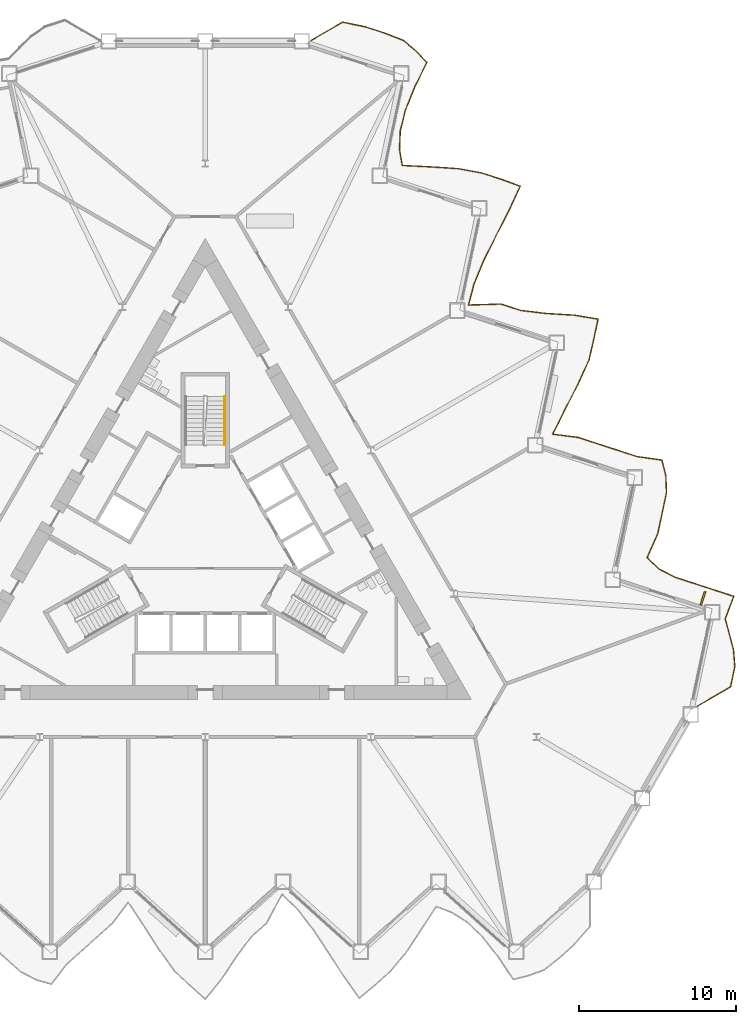
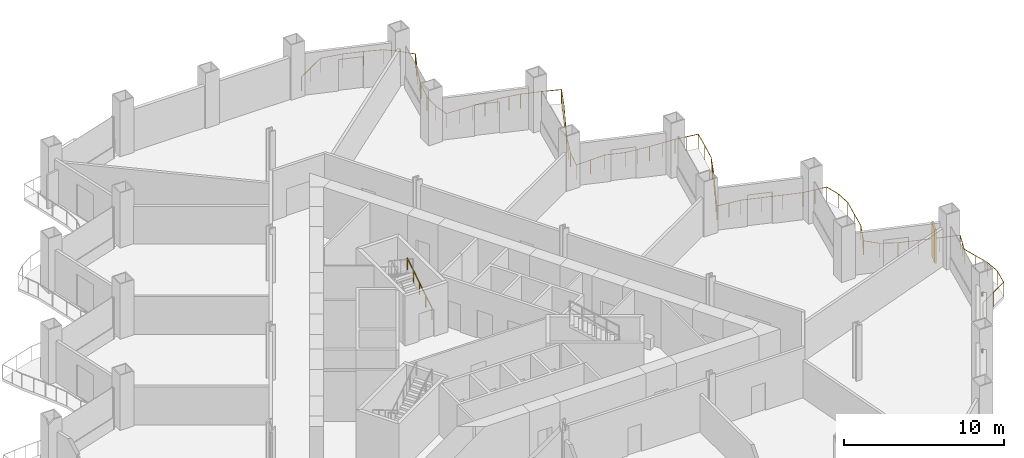
# One storey, part 19 of 21: 2 railings, 1 shading device.
"""IFC4 building model written with IfcOpenShell, lengths in metres."""

from ifc_helpers import new_model, si_unit, direction, frame, origin, origin_2d, place, context, subcontext, project, spatial, rectangle, circle, extrude, material, layer, layer_set, type_object, element, save


model = new_model("IFC4")

# Units and contexts
model_context = context("Model", 3, precision=1e-05, world=origin(), true_north=direction((0.0, 1.0)))
body_context = subcontext(model_context, "Body", "Model", "MODEL_VIEW")
ifc_project = project(units=[si_unit("LENGTHUNIT", "METRE"), si_unit("AREAUNIT", "SQUARE_METRE"), si_unit("VOLUMEUNIT", "CUBIC_METRE"), si_unit("PLANEANGLEUNIT", "RADIAN"), si_unit("MASSUNIT", "GRAM", prefix="KILO")], contexts=[model_context])

# Site, building, storey
site_placement = place(None, origin())
site = spatial("IfcSite", under=ifc_project, at=site_placement, CompositionType="ELEMENT")
building_placement = place(site_placement, origin())
building = spatial("IfcBuilding", under=site, at=building_placement, Name="Cormorant Prow Tower", CompositionType="ELEMENT")
storey_placement = place(building_placement, frame((0.0, 0.0, 72.0)))
storey = spatial("IfcBuildingStorey", under=building, at=storey_placement, Name="L15", CompositionType="ELEMENT", Elevation=72.0)

# Railings
ifc_material_1 = material(Name="Aluminium 6063-T6", Category="aluminium")
railing_type_1 = type_object("IfcRailingType", Name="Balcony guard 1100", PredefinedType="GUARDRAIL", material=ifc_material_1)
railing_1_placement = place(storey_placement, frame((31.3291015625, -10.300537109375, 0.0)))
element("IfcRailing", 1, at=railing_1_placement, inside=storey, type_object=railing_type_1, Name="Balcony guard ENE", PredefinedType="GUARDRAIL", context=body_context, shape_type="SweptSolid", body=[
    extrude(circle(Radius=0.02392578125, at=origin_2d()), frame((0.0, 0.0, 1.076171875), z_axis=(0.866030548046, 0.499991089772, 0.0), x_axis=(-0.499991089772, 0.866030548046, 0.0)), (0.0, 0.0, 1.0), 2.56982421875),
    extrude(circle(Radius=0.02392578125, at=origin_2d()), frame((2.2255859375, 1.284912109375, 1.076171875), z_axis=(0.207916123024, 0.978146658629, 0.0), x_axis=(-0.978146658629, 0.207916123024, 0.0)), (0.0, 0.0, 1.0), 1.3232421875),
    extrude(circle(Radius=0.02392578125, at=origin_2d()), frame((2.500732421875, 2.579345703125, 1.076171875), z_axis=(-0.07842705087, 0.9969198552, 0.0), x_axis=(-0.9969198552, -0.07842705087, 0.0)), (0.0, 0.0, 1.0), 1.089599609375),
    extrude(circle(Radius=0.02392578125, at=origin_2d()), frame((2.415283203125, 3.66552734375, 1.076171875), z_axis=(-0.25593207983, 0.966694765949, 0.0), x_axis=(-0.966694765949, -0.25593207983, 0.0)), (0.0, 0.0, 1.0), 1.018798828125),
    extrude(circle(Radius=0.02392578125, at=origin_2d()), frame((2.154541015625, 4.650390625, 1.076171875), z_axis=(-0.259483218606, 0.965747616752, 0.0), x_axis=(-0.965747616752, -0.259483218606, 0.0)), (0.0, 0.0, 1.0), 1.01806640625),
    extrude(circle(Radius=0.02392578125, at=origin_2d()), frame((1.890380859375, 5.633544921875, 1.076171875), z_axis=(0.35036198406, 0.936614371087, 0.0), x_axis=(-0.936614371087, 0.35036198406, 0.0)), (0.0, 0.0, 1.0), 1.546142578125),
    extrude(circle(Radius=0.02392578125, at=origin_2d()), frame((2.43212890625, 7.081787109375, 1.076171875), z_axis=(-0.951054403512, 0.309023496777, 0.0), x_axis=(-0.309023496777, -0.951054403512, 0.0)), (0.0, 0.0, 1.0), 1.3232421875),
    extrude(circle(Radius=0.02392578125, at=origin_2d()), frame((1.173583984375, 7.49072265625, 1.076171875), z_axis=(-0.951054403512, 0.309023496777, 0.0), x_axis=(-0.309023496777, -0.951054403512, 0.0)), (0.0, 0.0, 1.0), 1.3232421875),
    extrude(circle(Radius=0.02392578125, at=origin_2d()), frame((-0.0849609375, 7.899658203125, 1.076171875), z_axis=(-0.951054403512, 0.309023496777, 0.0), x_axis=(-0.309023496777, -0.951054403512, 0.0)), (0.0, 0.0, 1.0), 1.3232421875),
    extrude(circle(Radius=0.02392578125, at=origin_2d()), frame((-1.343505859375, 8.30859375, 1.076171875), z_axis=(-0.888067570073, 0.459712944113, 0.0), x_axis=(-0.459712944113, -0.888067570073, 0.0)), (0.0, 0.0, 1.0), 1.167724609375),
    extrude(circle(Radius=0.02392578125, at=origin_2d()), frame((-2.380615234375, 8.845458984375, 1.076171875), z_axis=(-0.704219685017, 0.709982137264, 0.0), x_axis=(-0.709982137264, -0.704219685017, 0.0)), (0.0, 0.0, 1.0), 1.016845703125),
    extrude(circle(Radius=0.02392578125, at=origin_2d()), frame((-3.0966796875, 9.5673828125, 1.076171875), z_axis=(0.406666401642, 0.913576727908, 0.0), x_axis=(-0.913576727908, 0.406666401642, 0.0)), (0.0, 0.0, 1.0), 1.673095703125),
    extrude(circle(Radius=0.02392578125, at=origin_2d()), frame((-2.416259765625, 11.095947265625, 1.076171875), z_axis=(0.207953649087, 0.978138681288, 0.0), x_axis=(-0.978138681288, 0.207953649087, 0.0)), (0.0, 0.0, 1.0), 1.322998046875),
    extrude(circle(Radius=0.02392578125, at=origin_2d()), frame((-2.14111328125, 12.39013671875, 1.076171875), z_axis=(0.207916123024, 0.978146658629, 0.0), x_axis=(-0.978146658629, 0.207916123024, 0.0)), (0.0, 0.0, 1.0), 1.3232421875),
    extrude(circle(Radius=0.02392578125, at=origin_2d()), frame((-1.865966796875, 13.6845703125, 1.076171875), z_axis=(-0.037758643401, 0.99928688816, 0.0), x_axis=(-0.99928688816, -0.037758643401, 0.0)), (0.0, 0.0, 1.0), 1.112060546875),
    extrude(circle(Radius=0.02392578125, at=origin_2d()), frame((-1.907958984375, 14.7958984375, 1.076171875), z_axis=(-0.247874989149, 0.968792026058, 0.0), x_axis=(-0.968792026058, -0.247874989149, 0.0)), (0.0, 0.0, 1.0), 1.021484375),
    extrude(circle(Radius=0.02392578125, at=origin_2d()), frame((-2.1611328125, 15.785400390625, 1.076171875), z_axis=(-0.990306886984, 0.138896614761, 0.0), x_axis=(-0.138896614761, -0.990306886984, 0.0)), (0.0, 0.0, 1.0), 1.59765625),
    extrude(circle(Radius=0.02392578125, at=origin_2d()), frame((-3.743408203125, 16.00732421875, 1.076171875), z_axis=(-0.951054403512, 0.309023496777, 0.0), x_axis=(-0.309023496777, -0.951054403512, 0.0)), (0.0, 0.0, 1.0), 1.3232421875),
    extrude(circle(Radius=0.02392578125, at=origin_2d()), frame((-5.001953125, 16.416259765625, 1.076171875), z_axis=(-0.951054403512, 0.309023496777, 0.0), x_axis=(-0.309023496777, -0.951054403512, 0.0)), (0.0, 0.0, 1.0), 1.3232421875),
    extrude(circle(Radius=0.02392578125, at=origin_2d()), frame((-6.260498046875, 16.8251953125, 1.076171875), z_axis=(-0.951054403512, 0.309023496777, 0.0), x_axis=(-0.309023496777, -0.951054403512, 0.0)), (0.0, 0.0, 1.0), 1.3232421875),
    extrude(circle(Radius=0.02392578125, at=origin_2d()), frame((-7.51904296875, 17.234130859375, 1.076171875), z_axis=(-0.992042667433, 0.125902128625, 0.0), x_axis=(-0.125902128625, -0.992042667433, 0.0)), (0.0, 0.0, 1.0), 1.625),
    extrude(circle(Radius=0.02392578125, at=origin_2d()), frame((-9.131103515625, 17.438720703125, 1.076171875), z_axis=(0.447487016102, 0.894290428452, 0.0), x_axis=(-0.894290428452, 0.447487016102, 0.0)), (0.0, 0.0, 1.0), 1.78564453125),
    extrude(circle(Radius=0.02392578125, at=origin_2d()), frame((-8.33203125, 19.03564453125, 1.076171875), z_axis=(0.454811330085, 0.890587813765, 0.0), x_axis=(-0.890587813765, 0.454811330085, 0.0)), (0.0, 0.0, 1.0), 1.808349609375),
    extrude(circle(Radius=0.02392578125, at=origin_2d()), frame((-7.509521484375, 20.646240234375, 1.076171875), z_axis=(0.414563285279, 0.910020484659, 0.0), x_axis=(-0.910020484659, 0.414563285279, 0.0)), (0.0, 0.0, 1.0), 1.693115234375),
    extrude(circle(Radius=0.02392578125, at=origin_2d()), frame((-6.8076171875, 22.18701171875, 1.076171875), z_axis=(0.223318562113, 0.974745515412, 0.0), x_axis=(-0.974745515412, 0.223318562113, 0.0)), (0.0, 0.0, 1.0), 1.342529296875),
    extrude(circle(Radius=0.02392578125, at=origin_2d()), frame((-6.5078125, 23.49560546875, 1.076171875), z_axis=(0.207916123024, 0.978146658629, 0.0), x_axis=(-0.978146658629, 0.207916123024, 0.0)), (0.0, 0.0, 1.0), 1.3232421875),
    extrude(circle(Radius=0.02392578125, at=origin_2d()), frame((-6.232666015625, 24.7900390625, 1.076171875), z_axis=(-0.986973640744, 0.160882045228, 0.0), x_axis=(-0.160882045228, -0.986973640744, 0.0)), (0.0, 0.0, 1.0), 1.553955078125),
    extrude(circle(Radius=0.02392578125, at=origin_2d()), frame((-7.766357421875, 25.0400390625, 1.076171875), z_axis=(-0.99812129543, 0.061268912257, 0.0), x_axis=(-0.061268912257, -0.99812129543, 0.0)), (0.0, 0.0, 1.0), 1.78125),
    extrude(circle(Radius=0.02392578125, at=origin_2d()), frame((-9.544189453125, 25.149169921875, 1.076171875), z_axis=(-0.993117124852, 0.117125472572, 0.0), x_axis=(-0.117125472572, -0.993117124852, 0.0)), (0.0, 0.0, 1.0), 1.64453125),
    extrude(circle(Radius=0.02392578125, at=origin_2d()), frame((-11.177490234375, 25.341796875, 1.076171875), z_axis=(-0.951054403512, 0.309023496777, 0.0), x_axis=(-0.309023496777, -0.951054403512, 0.0)), (0.0, 0.0, 1.0), 1.3232421875),
    extrude(circle(Radius=0.02392578125, at=origin_2d()), frame((-12.43603515625, 25.750732421875, 1.076171875), z_axis=(-0.999556700058, -0.029772527091, 0.0), x_axis=(0.029772527091, -0.999556700058, 0.0)), (0.0, 0.0, 1.0), 2.07470703125),
    extrude(circle(Radius=0.02392578125, at=origin_2d()), frame((-14.509765625, 25.68896484375, 1.076171875), z_axis=(0.255325857742, 0.966855059649, 0.0), x_axis=(-0.966855059649, 0.255325857742, 0.0)), (0.0, 0.0, 1.0), 1.385498046875),
    extrude(circle(Radius=0.02392578125, at=origin_2d()), frame((-14.156005859375, 27.028564453125, 1.076171875), z_axis=(0.382057872084, 0.924138400013, 0.0), x_axis=(-0.924138400013, 0.382057872084, 0.0)), (0.0, 0.0, 1.0), 1.6142578125),
    extrude(circle(Radius=0.02392578125, at=origin_2d()), frame((-13.539306640625, 28.520263671875, 1.076171875), z_axis=(0.444408082663, 0.895824456054, 0.0), x_axis=(-0.895824456054, 0.444408082663, 0.0)), (0.0, 0.0, 1.0), 1.776611328125),
    extrude(circle(Radius=0.02392578125, at=origin_2d()), frame((-12.749755859375, 30.11181640625, 1.076171875), z_axis=(0.45613613343, 0.889910011057, 0.0), x_axis=(-0.889910011057, 0.45613613343, 0.0)), (0.0, 0.0, 1.0), 1.812255859375),
    extrude(circle(Radius=0.02392578125, at=origin_2d()), frame((-11.923095703125, 31.724609375, 1.076171875), z_axis=(0.420435188405, 0.907322573482, 0.0), x_axis=(-0.907322573482, 0.420435188405, 0.0)), (0.0, 0.0, 1.0), 1.70849609375),
    extrude(circle(Radius=0.02392578125, at=origin_2d()), frame((-11.204833984375, 33.274658203125, 1.076171875), z_axis=(-0.939017858551, 0.343868377903, 0.0), x_axis=(-0.343868377903, -0.939017858551, 0.0)), (0.0, 0.0, 1.0), 1.281494140625),
    extrude(circle(Radius=0.02392578125, at=origin_2d()), frame((-12.408203125, 33.71533203125, 1.076171875), z_axis=(-0.951054403512, 0.309023496777, 0.0), x_axis=(-0.309023496777, -0.951054403512, 0.0)), (0.0, 0.0, 1.0), 1.3232421875),
    extrude(circle(Radius=0.02392578125, at=origin_2d()), frame((-13.666748046875, 34.124267578125, 1.076171875), z_axis=(-0.983608934838, 0.180314900401, 0.0), x_axis=(-0.180314900401, -0.983608934838, 0.0)), (0.0, 0.0, 1.0), 1.517822265625),
    extrude(circle(Radius=0.02392578125, at=origin_2d()), frame((-15.15966796875, 34.39794921875, 1.076171875), z_axis=(-0.997891181229, 0.064909093545, 0.0), x_axis=(-0.064909093545, -0.997891181229, 0.0)), (0.0, 0.0, 1.0), 1.771484375),
    extrude(circle(Radius=0.02392578125, at=origin_2d()), frame((-16.927490234375, 34.512939453125, 1.076171875), z_axis=(-0.99877937703, 0.049393886453, 0.0), x_axis=(-0.049393886453, -0.99877937703, 0.0)), (0.0, 0.0, 1.0), 1.81396484375),
    extrude(circle(Radius=0.02392578125, at=origin_2d()), frame((-18.7392578125, 34.6025390625, 1.076171875), z_axis=(-0.167380545357, 0.985892363819, 0.0), x_axis=(-0.985892363819, -0.167380545357, 0.0)), (0.0, 0.0, 1.0), 1.048828125),
    extrude(circle(Radius=0.02392578125, at=origin_2d()), frame((-18.914794921875, 35.636474609375, 1.076171875), z_axis=(0.039054024104, 0.999237100593, 0.0), x_axis=(-0.999237100593, 0.039054024104, 0.0)), (0.0, 0.0, 1.0), 1.162841796875),
    extrude(circle(Radius=0.02392578125, at=origin_2d()), frame((-18.869384765625, 36.79833984375, 1.076171875), z_axis=(0.240093301507, 0.970749816673, 0.0), x_axis=(-0.970749816673, 0.240093301507, 0.0)), (0.0, 0.0, 1.0), 1.364501953125),
    extrude(circle(Radius=0.02392578125, at=origin_2d()), frame((-18.541748046875, 38.123046875, 1.076171875), z_axis=(0.373501084579, 0.927629742849, 0.0), x_axis=(-0.927629742849, 0.373501084579, 0.0)), (0.0, 0.0, 1.0), 1.594970703125),
    extrude(circle(Radius=0.02392578125, at=origin_2d()), frame((-17.946044921875, 39.6025390625, 1.076171875), z_axis=(0.441066016697, 0.897474661991, 0.0), x_axis=(-0.897474661991, 0.441066016697, 0.0)), (0.0, 0.0, 1.0), 1.766357421875),
    extrude(circle(Radius=0.02392578125, at=origin_2d()), frame((-17.1669921875, 41.187744140625, 1.076171875), z_axis=(-0.694714872797, 0.719285232376, 0.0), x_axis=(-0.719285232376, -0.694714872797, 0.0)), (0.0, 0.0, 1.0), 1.013427734375),
    extrude(circle(Radius=0.02392578125, at=origin_2d()), frame((-17.87109375, 41.916748046875, 1.076171875), z_axis=(-0.765074589063, 0.643941669074, 0.0), x_axis=(-0.643941669074, -0.765074589063, 0.0)), (0.0, 0.0, 1.0), 1.046142578125),
    extrude(circle(Radius=0.02392578125, at=origin_2d()), frame((-18.67138671875, 42.59033203125, 1.076171875), z_axis=(-0.930892975673, 0.365292030904, 0.0), x_axis=(-0.365292030904, -0.930892975673, 0.0)), (0.0, 0.0, 1.0), 1.2578125),
    extrude(circle(Radius=0.02392578125, at=origin_2d()), frame((-19.84228515625, 43.0498046875, 1.076171875), z_axis=(-0.951054403512, 0.309023496777, 0.0), x_axis=(-0.309023496777, -0.951054403512, 0.0)), (0.0, 0.0, 1.0), 1.3232421875),
    extrude(circle(Radius=0.02392578125, at=origin_2d()), frame((-21.100830078125, 43.458740234375, 1.076171875), z_axis=(-0.979839575848, 0.199785899409, 0.0), x_axis=(-0.199785899409, -0.979839575848, 0.0)), (0.0, 0.0, 1.0), 1.483642578125),
    extrude(circle(Radius=0.02392578125, at=origin_2d()), frame((-22.554443359375, 43.755126953125, 1.076171875), z_axis=(-0.865998332812, -0.500046885369, 0.0), x_axis=(0.500046885369, -0.865998332812, 0.0)), (0.0, 0.0, 1.0), 2.344970703125),
    extrude(circle(Radius=0.02099609375, at=origin_2d()), origin(), (0.0, 0.0, 1.0), 1.052001953125),
    extrude(circle(Radius=0.02099609375, at=origin_2d()), frame((1.11279296875, 0.642578125, 0.0)), (0.0, 0.0, 1.0), 1.052001953125),
    extrude(circle(Radius=0.02099609375, at=origin_2d()), frame((2.2255859375, 1.284912109375, 0.0)), (0.0, 0.0, 1.0), 1.052001953125),
    extrude(circle(Radius=0.02099609375, at=origin_2d()), frame((2.500732421875, 2.579345703125, 0.0)), (0.0, 0.0, 1.0), 1.052001953125),
    extrude(circle(Radius=0.02099609375, at=origin_2d()), frame((2.415283203125, 3.66552734375, 0.0)), (0.0, 0.0, 1.0), 1.052001953125),
    extrude(circle(Radius=0.02099609375, at=origin_2d()), frame((2.154541015625, 4.650390625, 0.0)), (0.0, 0.0, 1.0), 1.052001953125),
    extrude(circle(Radius=0.02099609375, at=origin_2d()), frame((1.890380859375, 5.633544921875, 0.0)), (0.0, 0.0, 1.0), 1.052001953125),
    extrude(circle(Radius=0.02099609375, at=origin_2d()), frame((2.1611328125, 6.357666015625, 0.0)), (0.0, 0.0, 1.0), 1.052001953125),
    extrude(circle(Radius=0.02099609375, at=origin_2d()), frame((2.43212890625, 7.081787109375, 0.0)), (0.0, 0.0, 1.0), 1.052001953125),
    extrude(circle(Radius=0.02099609375, at=origin_2d()), frame((1.173583984375, 7.49072265625, 0.0)), (0.0, 0.0, 1.0), 1.052001953125),
    extrude(circle(Radius=0.02099609375, at=origin_2d()), frame((-0.0849609375, 7.899658203125, 0.0)), (0.0, 0.0, 1.0), 1.052001953125),
    extrude(circle(Radius=0.02099609375, at=origin_2d()), frame((-1.343505859375, 8.30859375, 0.0)), (0.0, 0.0, 1.0), 1.052001953125),
    extrude(circle(Radius=0.02099609375, at=origin_2d()), frame((-2.380615234375, 8.845458984375, 0.0)), (0.0, 0.0, 1.0), 1.052001953125),
    extrude(circle(Radius=0.02099609375, at=origin_2d()), frame((-3.0966796875, 9.5673828125, 0.0)), (0.0, 0.0, 1.0), 1.052001953125),
    extrude(circle(Radius=0.02099609375, at=origin_2d()), frame((-2.75634765625, 10.33154296875, 0.0)), (0.0, 0.0, 1.0), 1.052001953125),
    extrude(circle(Radius=0.02099609375, at=origin_2d()), frame((-2.416259765625, 11.095947265625, 0.0)), (0.0, 0.0, 1.0), 1.052001953125),
    extrude(circle(Radius=0.02099609375, at=origin_2d()), frame((-2.14111328125, 12.39013671875, 0.0)), (0.0, 0.0, 1.0), 1.052001953125),
    extrude(circle(Radius=0.02099609375, at=origin_2d()), frame((-1.865966796875, 13.6845703125, 0.0)), (0.0, 0.0, 1.0), 1.052001953125),
    extrude(circle(Radius=0.02099609375, at=origin_2d()), frame((-1.907958984375, 14.7958984375, 0.0)), (0.0, 0.0, 1.0), 1.052001953125),
    extrude(circle(Radius=0.02099609375, at=origin_2d()), frame((-2.1611328125, 15.785400390625, 0.0)), (0.0, 0.0, 1.0), 1.052001953125),
    extrude(circle(Radius=0.02099609375, at=origin_2d()), frame((-2.9521484375, 15.896484375, 0.0)), (0.0, 0.0, 1.0), 1.052001953125),
    extrude(circle(Radius=0.02099609375, at=origin_2d()), frame((-3.743408203125, 16.00732421875, 0.0)), (0.0, 0.0, 1.0), 1.052001953125),
    extrude(circle(Radius=0.02099609375, at=origin_2d()), frame((-5.001953125, 16.416259765625, 0.0)), (0.0, 0.0, 1.0), 1.052001953125),
    extrude(circle(Radius=0.02099609375, at=origin_2d()), frame((-6.260498046875, 16.8251953125, 0.0)), (0.0, 0.0, 1.0), 1.052001953125),
    extrude(circle(Radius=0.02099609375, at=origin_2d()), frame((-7.51904296875, 17.234130859375, 0.0)), (0.0, 0.0, 1.0), 1.052001953125),
    extrude(circle(Radius=0.02099609375, at=origin_2d()), frame((-8.3251953125, 17.33642578125, 0.0)), (0.0, 0.0, 1.0), 1.052001953125),
    extrude(circle(Radius=0.02099609375, at=origin_2d()), frame((-9.131103515625, 17.438720703125, 0.0)), (0.0, 0.0, 1.0), 1.052001953125),
    extrude(circle(Radius=0.02099609375, at=origin_2d()), frame((-8.7314453125, 18.2373046875, 0.0)), (0.0, 0.0, 1.0), 1.052001953125),
    extrude(circle(Radius=0.02099609375, at=origin_2d()), frame((-8.33203125, 19.03564453125, 0.0)), (0.0, 0.0, 1.0), 1.052001953125),
    extrude(circle(Radius=0.02099609375, at=origin_2d()), frame((-7.9208984375, 19.8408203125, 0.0)), (0.0, 0.0, 1.0), 1.052001953125),
    extrude(circle(Radius=0.02099609375, at=origin_2d()), frame((-7.509521484375, 20.646240234375, 0.0)), (0.0, 0.0, 1.0), 1.052001953125),
    extrude(circle(Radius=0.02099609375, at=origin_2d()), frame((-7.15869140625, 21.41650390625, 0.0)), (0.0, 0.0, 1.0), 1.052001953125),
    extrude(circle(Radius=0.02099609375, at=origin_2d()), frame((-6.8076171875, 22.18701171875, 0.0)), (0.0, 0.0, 1.0), 1.052001953125),
    extrude(circle(Radius=0.02099609375, at=origin_2d()), frame((-6.5078125, 23.49560546875, 0.0)), (0.0, 0.0, 1.0), 1.052001953125),
    extrude(circle(Radius=0.02099609375, at=origin_2d()), frame((-6.232666015625, 24.7900390625, 0.0)), (0.0, 0.0, 1.0), 1.052001953125),
    extrude(circle(Radius=0.02099609375, at=origin_2d()), frame((-6.99951171875, 24.9150390625, 0.0)), (0.0, 0.0, 1.0), 1.052001953125),
    extrude(circle(Radius=0.02099609375, at=origin_2d()), frame((-7.766357421875, 25.0400390625, 0.0)), (0.0, 0.0, 1.0), 1.052001953125),
    extrude(circle(Radius=0.02099609375, at=origin_2d()), frame((-8.6552734375, 25.0947265625, 0.0)), (0.0, 0.0, 1.0), 1.052001953125),
    extrude(circle(Radius=0.02099609375, at=origin_2d()), frame((-9.544189453125, 25.149169921875, 0.0)), (0.0, 0.0, 1.0), 1.052001953125),
    extrude(circle(Radius=0.02099609375, at=origin_2d()), frame((-10.36083984375, 25.24560546875, 0.0)), (0.0, 0.0, 1.0), 1.052001953125),
    extrude(circle(Radius=0.02099609375, at=origin_2d()), frame((-11.177490234375, 25.341796875, 0.0)), (0.0, 0.0, 1.0), 1.052001953125),
    extrude(circle(Radius=0.02099609375, at=origin_2d()), frame((-12.43603515625, 25.750732421875, 0.0)), (0.0, 0.0, 1.0), 1.052001953125),
    extrude(circle(Radius=0.02099609375, at=origin_2d()), frame((-13.472900390625, 25.7197265625, 0.0)), (0.0, 0.0, 1.0), 1.052001953125),
    extrude(circle(Radius=0.02099609375, at=origin_2d()), frame((-14.509765625, 25.68896484375, 0.0)), (0.0, 0.0, 1.0), 1.052001953125),
    extrude(circle(Radius=0.02099609375, at=origin_2d()), frame((-14.156005859375, 27.028564453125, 0.0)), (0.0, 0.0, 1.0), 1.052001953125),
    extrude(circle(Radius=0.02099609375, at=origin_2d()), frame((-13.84765625, 27.7744140625, 0.0)), (0.0, 0.0, 1.0), 1.052001953125),
    extrude(circle(Radius=0.02099609375, at=origin_2d()), frame((-13.539306640625, 28.520263671875, 0.0)), (0.0, 0.0, 1.0), 1.052001953125),
    extrude(circle(Radius=0.02099609375, at=origin_2d()), frame((-13.14453125, 29.31591796875, 0.0)), (0.0, 0.0, 1.0), 1.052001953125),
    extrude(circle(Radius=0.02099609375, at=origin_2d()), frame((-12.749755859375, 30.11181640625, 0.0)), (0.0, 0.0, 1.0), 1.052001953125),
    extrude(circle(Radius=0.02099609375, at=origin_2d()), frame((-12.33642578125, 30.918212890625, 0.0)), (0.0, 0.0, 1.0), 1.052001953125),
    extrude(circle(Radius=0.02099609375, at=origin_2d()), frame((-11.923095703125, 31.724609375, 0.0)), (0.0, 0.0, 1.0), 1.052001953125),
    extrude(circle(Radius=0.02099609375, at=origin_2d()), frame((-11.56396484375, 32.49951171875, 0.0)), (0.0, 0.0, 1.0), 1.052001953125),
    extrude(circle(Radius=0.02099609375, at=origin_2d()), frame((-11.204833984375, 33.274658203125, 0.0)), (0.0, 0.0, 1.0), 1.052001953125),
    extrude(circle(Radius=0.02099609375, at=origin_2d()), frame((-12.408203125, 33.71533203125, 0.0)), (0.0, 0.0, 1.0), 1.052001953125),
    extrude(circle(Radius=0.02099609375, at=origin_2d()), frame((-13.666748046875, 34.124267578125, 0.0)), (0.0, 0.0, 1.0), 1.052001953125),
    extrude(circle(Radius=0.02099609375, at=origin_2d()), frame((-14.4130859375, 34.26123046875, 0.0)), (0.0, 0.0, 1.0), 1.052001953125),
    extrude(circle(Radius=0.02099609375, at=origin_2d()), frame((-15.15966796875, 34.39794921875, 0.0)), (0.0, 0.0, 1.0), 1.052001953125),
    extrude(circle(Radius=0.02099609375, at=origin_2d()), frame((-16.04345703125, 34.45556640625, 0.0)), (0.0, 0.0, 1.0), 1.052001953125),
    extrude(circle(Radius=0.02099609375, at=origin_2d()), frame((-16.927490234375, 34.512939453125, 0.0)), (0.0, 0.0, 1.0), 1.052001953125),
    extrude(circle(Radius=0.02099609375, at=origin_2d()), frame((-17.83349609375, 34.5576171875, 0.0)), (0.0, 0.0, 1.0), 1.052001953125),
    extrude(circle(Radius=0.02099609375, at=origin_2d()), frame((-18.7392578125, 34.6025390625, 0.0)), (0.0, 0.0, 1.0), 1.052001953125),
    extrude(circle(Radius=0.02099609375, at=origin_2d()), frame((-18.914794921875, 35.636474609375, 0.0)), (0.0, 0.0, 1.0), 1.052001953125),
    extrude(circle(Radius=0.02099609375, at=origin_2d()), frame((-18.869384765625, 36.79833984375, 0.0)), (0.0, 0.0, 1.0), 1.052001953125),
    extrude(circle(Radius=0.02099609375, at=origin_2d()), frame((-18.541748046875, 38.123046875, 0.0)), (0.0, 0.0, 1.0), 1.052001953125),
    extrude(circle(Radius=0.02099609375, at=origin_2d()), frame((-18.243896484375, 38.86279296875, 0.0)), (0.0, 0.0, 1.0), 1.052001953125),
    extrude(circle(Radius=0.02099609375, at=origin_2d()), frame((-17.946044921875, 39.6025390625, 0.0)), (0.0, 0.0, 1.0), 1.052001953125),
    extrude(circle(Radius=0.02099609375, at=origin_2d()), frame((-17.556640625, 40.39501953125, 0.0)), (0.0, 0.0, 1.0), 1.052001953125),
    extrude(circle(Radius=0.02099609375, at=origin_2d()), frame((-17.1669921875, 41.187744140625, 0.0)), (0.0, 0.0, 1.0), 1.052001953125),
    extrude(circle(Radius=0.02099609375, at=origin_2d()), frame((-17.87109375, 41.916748046875, 0.0)), (0.0, 0.0, 1.0), 1.052001953125),
    extrude(circle(Radius=0.02099609375, at=origin_2d()), frame((-18.67138671875, 42.59033203125, 0.0)), (0.0, 0.0, 1.0), 1.052001953125),
    extrude(circle(Radius=0.02099609375, at=origin_2d()), frame((-19.84228515625, 43.0498046875, 0.0)), (0.0, 0.0, 1.0), 1.052001953125),
    extrude(circle(Radius=0.02099609375, at=origin_2d()), frame((-21.100830078125, 43.458740234375, 0.0)), (0.0, 0.0, 1.0), 1.052001953125),
    extrude(circle(Radius=0.02099609375, at=origin_2d()), frame((-22.554443359375, 43.755126953125, 0.0)), (0.0, 0.0, 1.0), 1.052001953125),
    extrude(circle(Radius=0.02099609375, at=origin_2d()), frame((-23.56982421875, 43.1689453125, 0.0)), (0.0, 0.0, 1.0), 1.052001953125),
    extrude(circle(Radius=0.02099609375, at=origin_2d()), frame((-24.585205078125, 42.58251953125, 0.0)), (0.0, 0.0, 1.0), 1.052001953125),
])
ifc_material_2 = material(Name="Stainless steel", Category="steel")
railing_type_2 = type_object("IfcRailingType", Name="Stair handrail 900", PredefinedType="HANDRAIL", material=ifc_material_2)
railing_2_placement = place(storey_placement, frame((1.243896484375, 6.455810546875, 0.175048828125)))
element("IfcRailing", 2, at=railing_2_placement, inside=storey, type_object=railing_type_2, Name="L15 ST3 stair handrail 1", PredefinedType="HANDRAIL", context=body_context, shape_type="SweptSolid", body=[
    extrude(circle(Radius=0.02392578125, at=origin_2d()), frame((0.0, 0.0, 0.8759765625), z_axis=(0.0, 0.847998304005, 0.529998940003), x_axis=(-1.0, 0.0, 0.0)), (0.0, 0.0, 1.0), 3.632080078125),
    extrude(circle(Radius=0.02099609375, at=origin_2d()), origin(), (0.0, 0.0, 1.0), 0.851806640625),
    extrude(circle(Radius=0.02099609375, at=origin_2d()), frame((0.0, 0.77001953125, 0.481201171875)), (0.0, 0.0, 1.0), 0.851806640625),
    extrude(circle(Radius=0.02099609375, at=origin_2d()), frame((0.0, 1.5400390625, 0.96240234375)), (0.0, 0.0, 1.0), 0.851806640625),
    extrude(circle(Radius=0.02099609375, at=origin_2d()), frame((0.0, 2.31005859375, 1.44384765625)), (0.0, 0.0, 1.0), 0.851806640625),
    extrude(circle(Radius=0.02099609375, at=origin_2d()), frame((0.0, 3.080078125, 1.925048828125)), (0.0, 0.0, 1.0), 0.851806640625),
])

# Shading device
ifc_material_3 = material(Name="Terracotta", Category="masonry")
ifc_layer = layer(ifc_material_3, 0.1201171875)
ifc_layer_set = layer_set([ifc_layer], Name="Terracotta")
shading_device_type = type_object("IfcShadingDeviceType", Name="Terracotta baguette fin 120x900x2600", PredefinedType="USERDEFINED", material=ifc_layer_set)
shading_device_placement = place(storey_placement, frame((31.7890625, -3.35498046875, 0.0), z_axis=(0.0, 0.0, 1.0), x_axis=(-0.951056531806, 0.309016946636, 0.0)))
element("IfcShadingDevice", 3, at=shading_device_placement, inside=storey, type_object=shading_device_type, Name="Baguette fin ENE01", ObjectType="BAGUETTE", PredefinedType="USERDEFINED", context=body_context, shape_type="SweptSolid", body=[
    extrude(rectangle(XDim=0.1201171875, YDim=0.89990234375, at=origin_2d()), origin(), (0.0, 0.0, 1.0), 2.60009765625),
])

save(model, "model.ifc")
